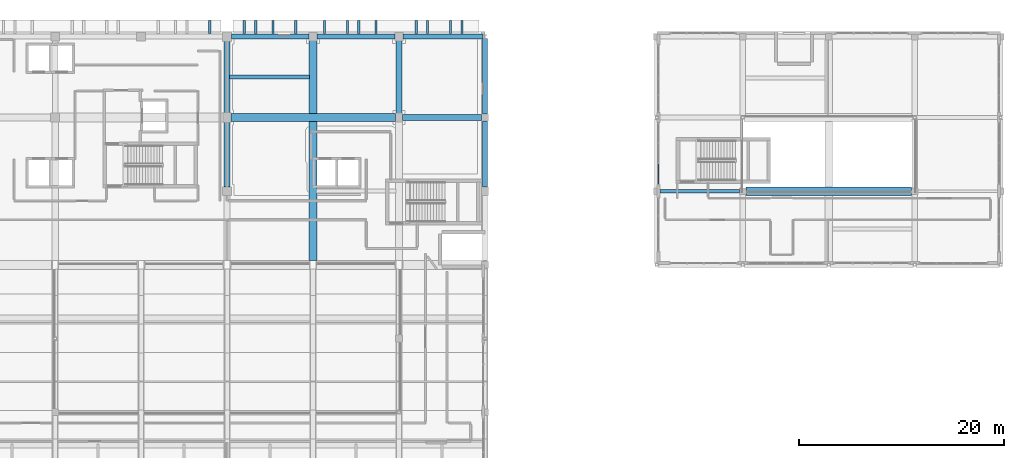
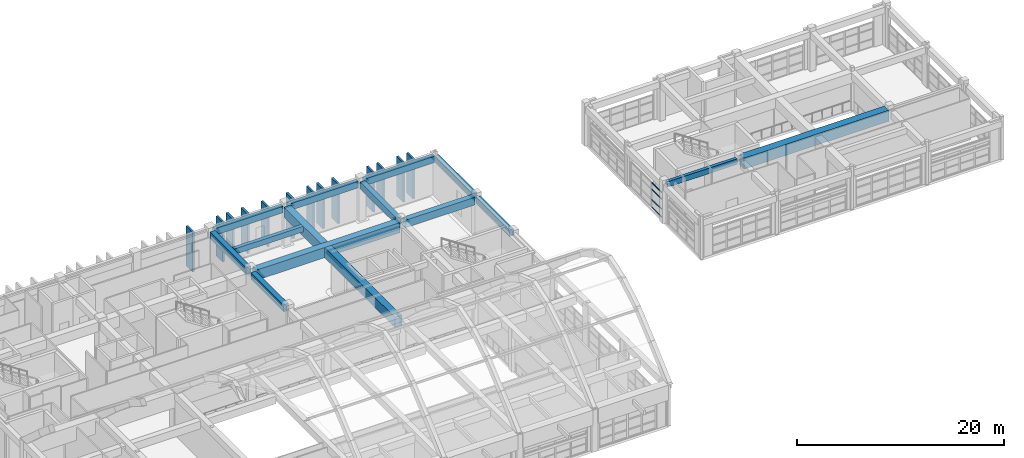
# One storey, part 59 of 103: 17 members, 14 beams, 1 element without a shape of its own.
"""IFC4 building model written with IfcOpenShell, lengths in metres."""

import ifcopenshell
import ifcopenshell.guid

model = None  # the IFC model being written
_history = None  # IfcOwnerHistory: only IFC2X3 demands one
_inside = {}  # id of a spatial element -> (the spatial element, [elements in it])
_under = {}  # id of a project, library or spatial element -> (it, [spatial elements below it])
_declared = {}  # id of a project -> (the project, [libraries it declares])
_typed = {}  # id of a type object -> (the type object, [elements of that type])
_made_of = {}  # id of a material, layer set ... -> (it, [elements and type objects made of it])


def new_model(schema):
    """Start an empty IFC model of exactly this schema.

    Asked for "IFC4X3", IfcOpenShell would pick the latest addendum, in which some entities
    have other attributes; the version numbers below select the first issue.
    IFC2X3 requires an IfcOwnerHistory on every rooted entity: one is made here for all.
    """
    global model, _history
    if schema == "IFC4X3":
        model = ifcopenshell.file(schema_version=(4, 3, 0, 0))
    else:
        model = ifcopenshell.file(schema=schema)
    _inside.clear()
    _under.clear()
    _declared.clear()
    _typed.clear()
    _made_of.clear()
    _history = None
    if model.schema == "IFC2X3":
        org = make("IfcOrganization", Name="unknown")
        user = make(
            "IfcPersonAndOrganization",
            ThePerson=make("IfcPerson", FamilyName="unknown"),
            TheOrganization=org,
        )
        app = make(
            "IfcApplication",
            ApplicationDeveloper=org,
            Version="unknown",
            ApplicationFullName="unknown",
            ApplicationIdentifier="unknown",
        )
        _history = make(
            "IfcOwnerHistory",
            OwningUser=user,
            OwningApplication=app,
            ChangeAction="ADDED",
            CreationDate=0,
        )
    return model


def make(cls, **values):
    """One entity of the class cls with the attributes given. An attribute that is None is left unset."""
    return model.create_entity(
        cls, **{name: value for name, value in values.items() if value is not None}
    )


def rooted(cls, **values):
    """An entity with a GlobalId (a new one), such as an element, a storey or a relation."""
    return make(cls, GlobalId=ifcopenshell.guid.new(), OwnerHistory=_history, **values)


def si_unit(unit_type, name, prefix=None):
    """IfcSIUnit, for example si_unit("LENGTHUNIT", "METRE", prefix="MILLI")."""
    return make("IfcSIUnit", UnitType=unit_type, Prefix=prefix, Name=name)


def assignment(units):
    """IfcUnitAssignment: the units of a project."""
    return None if units is None else make("IfcUnitAssignment", Units=units)


def point(xyz):
    """IfcCartesianPoint."""
    return None if xyz is None else make("IfcCartesianPoint", Coordinates=xyz)


def direction(xyz):
    """IfcDirection."""
    return None if xyz is None else make("IfcDirection", DirectionRatios=xyz)


def frame(location, z_axis=None, x_axis=None):
    """IfcAxis2Placement3D, a coordinate frame: its origin and axes. An axis left out is left unset."""
    return make(
        "IfcAxis2Placement3D",
        Location=point(location),
        Axis=direction(z_axis),
        RefDirection=direction(x_axis),
    )


def frame_2d(location, x_axis=None):
    """IfcAxis2Placement2D, a coordinate frame in the plane: its origin and x axis."""
    return make(
        "IfcAxis2Placement2D", Location=point(location), RefDirection=direction(x_axis)
    )


def origin():
    """The frame at (0, 0, 0) with its axes left unset."""
    return frame((0.0, 0.0, 0.0))


def origin_2d():
    """The frame at (0, 0) in the plane with its x axis left unset."""
    return frame_2d((0.0, 0.0))


def place(relative_to, where):
    """IfcLocalPlacement: puts the frame where relative to a parent placement (None: the world)."""
    return make(
        "IfcLocalPlacement", PlacementRelTo=relative_to, RelativePlacement=where
    )


def context(
    kind, dimensions, precision=None, world=None, true_north=None, identifier=None
):
    """IfcGeometricRepresentationContext, for example the 3D "Model" context."""
    return make(
        "IfcGeometricRepresentationContext",
        ContextIdentifier=identifier,
        ContextType=kind,
        CoordinateSpaceDimension=dimensions,
        Precision=precision,
        WorldCoordinateSystem=world,
        TrueNorth=true_north,
    )


def subcontext(parent, identifier, kind, view, scale=None):
    """IfcGeometricRepresentationSubContext, for example "Body" below "Model"."""
    return make(
        "IfcGeometricRepresentationSubContext",
        ContextIdentifier=identifier,
        ContextType=kind,
        ParentContext=parent,
        TargetScale=scale,
        TargetView=view,
    )


def project(units=None, contexts=None):
    """IfcProject with its units and contexts."""
    return rooted(
        "IfcProject",
        Name="project",
        RepresentationContexts=contexts,
        UnitsInContext=assignment(units),
    )


def spatial(cls, under=None, at=None, **own):
    """A site, building, storey or space (cls), placed at a placement, below another one or the project."""
    s = rooted(cls, ObjectPlacement=at, **own)
    if under is not None:
        _under.setdefault(under.id(), (under, []))[1].append(s)
    return s


def profile(cls, at=None, kind="AREA", **sizes):
    """A parametric profile (cls). Its sizes go by their IFC names, for example OverallWidth=200.0."""
    return make(cls, ProfileType=kind, Position=at, **sizes)


def rectangle(**sizes):
    """IfcRectangleProfileDef."""
    return profile("IfcRectangleProfileDef", **sizes)


def hollow_rectangle(**sizes):
    """IfcRectangleHollowProfileDef."""
    return profile("IfcRectangleHollowProfileDef", **sizes)


def extrude(swept, where, along, depth):
    """IfcExtrudedAreaSolid: the profile swept, set in the frame where, extruded along a direction by depth."""
    return make(
        "IfcExtrudedAreaSolid",
        SweptArea=swept,
        Position=where,
        ExtrudedDirection=direction(along),
        Depth=depth,
    )


def shape(context_of_items, identifier, shape_type, items):
    """IfcShapeRepresentation: the items that make up one representation, for example the "Body"."""
    return make(
        "IfcShapeRepresentation",
        ContextOfItems=context_of_items,
        RepresentationIdentifier=identifier,
        RepresentationType=shape_type,
        Items=items,
    )


def material(Name=None, Category=None):
    """IfcMaterial."""
    return make("IfcMaterial", Name=Name, Category=Category)


def layer(
    of_material, thickness, ventilated=None, Name=None, Category=None, Priority=None
):
    """IfcMaterialLayer: one layer of a wall or slab, of a material (None: an air gap)."""
    return make(
        "IfcMaterialLayer",
        Material=of_material,
        LayerThickness=thickness,
        IsVentilated=ventilated,
        Name=Name,
        Category=Category,
        Priority=Priority,
    )


def layer_set(layers, Name=None):
    """IfcMaterialLayerSet."""
    return make("IfcMaterialLayerSet", MaterialLayers=layers, LayerSetName=Name)


def material_profile(
    of_material, cross_section, Name=None, Category=None, Priority=None
):
    """IfcMaterialProfile: a cross section and its material."""
    return make(
        "IfcMaterialProfile",
        Name=Name,
        Material=of_material,
        Profile=cross_section,
        Priority=Priority,
        Category=Category,
    )


def profile_set(profiles, Name=None, composite=None):
    """IfcMaterialProfileSet."""
    return make(
        "IfcMaterialProfileSet",
        Name=Name,
        MaterialProfiles=profiles,
        CompositeProfile=composite,
    )


def made_of(thing, what):
    """Note that an element or type object is made of a material, layer set ...; save() writes the relation."""
    if what is not None:
        _made_of.setdefault(what.id(), (what, []))[1].append(thing)
    return thing


def type_object(cls, material=None, **own):
    """A type object (cls), such as IfcWallType, which elements share."""
    return made_of(rooted(cls, **own), material)


def element(
    cls,
    number,
    at=None,
    inside=None,
    cuts=None,
    type_object=None,
    material=None,
    context=None,
    identifier="Body",
    shape_type=None,
    held_by="IfcProductDefinitionShape",
    body=None,
    shapes=None,
    **own,
):
    """One element of the class cls, such as IfcWall. Its Tag is "e" and its number.

    at: its placement. inside: the storey or other place that contains it. cuts: it is an
    opening in that element (IfcRelVoidsElement). A single representation is given by context,
    identifier, shape_type and body (its items); several are given by shapes. held_by: the class
    of the entity that holds the representations. save() writes the other relations.
    """
    e = rooted(cls, Tag="e%d" % number, ObjectPlacement=at, **own)
    if body is not None:
        shapes = [shape(context, identifier, shape_type, body)]
    if shapes is not None:
        e.Representation = make(held_by, Representations=shapes)
    if inside is not None:
        _inside.setdefault(inside.id(), (inside, []))[1].append(e)
    if cuts is not None:
        rooted(
            "IfcRelVoidsElement", RelatingBuildingElement=cuts, RelatedOpeningElement=e
        )
    if type_object is not None:
        _typed.setdefault(type_object.id(), (type_object, []))[1].append(e)
    return made_of(e, material)


def aggregate(whole, parts):
    """IfcRelAggregates: a whole, such as a stair, and the parts it consists of."""
    return rooted("IfcRelAggregates", RelatingObject=whole, RelatedObjects=parts)


def save(model, path):
    """Write the relations noted so far, then the file.

    IfcRelAggregates (storeys below a building ...), IfcRelContainedInSpatialStructure (elements
    in a storey), IfcRelDefinesByType, IfcRelAssociatesMaterial and IfcRelDeclares: one each for
    every whole, place, type object, material and project.
    """
    for whole, parts in _under.values():
        aggregate(whole, parts)
    for where, things in _inside.values():
        rooted(
            "IfcRelContainedInSpatialStructure",
            RelatedElements=things,
            RelatingStructure=where,
        )
    for kind, things in _typed.values():
        rooted("IfcRelDefinesByType", RelatedObjects=things, RelatingType=kind)
    for what, things in _made_of.values():
        rooted("IfcRelAssociatesMaterial", RelatedObjects=things, RelatingMaterial=what)
    for by, libraries in _declared.values():
        rooted("IfcRelDeclares", RelatingContext=by, RelatedDefinitions=libraries)
    model.write(path)


model = new_model("IFC4")

# Units and contexts
model_context = context("Model", 3, precision=1e-05, world=origin(), true_north=direction((0.0, 1.0)))
body_context = subcontext(model_context, "Body", "Model", "MODEL_VIEW")
ifc_project = project(units=[si_unit("LENGTHUNIT", "METRE"), si_unit("AREAUNIT", "SQUARE_METRE"), si_unit("VOLUMEUNIT", "CUBIC_METRE"), si_unit("PLANEANGLEUNIT", "RADIAN"), si_unit("MASSUNIT", "GRAM", prefix="KILO")], contexts=[model_context])

# Site, building, storey
site_placement = place(None, origin())
site = spatial("IfcSite", under=ifc_project, at=site_placement, CompositionType="ELEMENT")
building_placement = place(site_placement, origin())
building = spatial("IfcBuilding", under=site, at=building_placement, Name="Quendrovan Civic Courthouse", CompositionType="ELEMENT")
storey_placement = place(building_placement, frame((0.0, 0.0, 15.300048828125)))
storey = spatial("IfcBuildingStorey", under=building, at=storey_placement, Name="L04", CompositionType="ELEMENT", Elevation=15.300048828125)

# Beams
ifc_material_1 = material(Name="Post-tensioned concrete C50/60", Category="concrete")
ifc_material_profile_1 = material_profile(ifc_material_1, rectangle(XDim=0.75, YDim=1.199951171875, at=origin_2d()), Name="PT-GIRD-750x1200")
ifc_profile_set_1 = profile_set([ifc_material_profile_1], Name="Post-tensioned concrete C50/60")
beam_type_1 = type_object("IfcBeamType", Name="BM-PT1200", PredefinedType="BEAM", material=ifc_profile_set_1)
beam_1_placement = place(storey_placement, frame((67.580078125, 102.0, 4.06005859375), z_axis=(1.0, 0.0, 0.0), x_axis=(0.0, 1.0, 0.0)))
element("IfcBeam", 1, at=beam_1_placement, inside=storey, type_object=beam_type_1, Name="L04 Girder X0920", PredefinedType="BEAM", context=body_context, shape_type="SweptSolid", body=[
    extrude(rectangle(XDim=0.75, YDim=1.199951171875, at=origin_2d()), origin(), (0.0, 0.0, 1.0), 16.08984375),
])
beam_2_placement = place(storey_placement, frame((75.60009765625, 88.0048828125, 4.06005859375), z_axis=(0.0, 1.0, 0.0), x_axis=(-1.0, 0.0, 0.0)))
element("IfcBeam", 2, at=beam_2_placement, inside=storey, type_object=beam_type_1, Name="L04 Girder Y0980", PredefinedType="BEAM", context=body_context, shape_type="SweptSolid", body=[
    extrude(rectangle(XDim=0.75, YDim=1.199951171875, at=origin_2d()), origin(), (0.0, 0.0, 1.0), 21.51513671875),
])
ifc_material_profile_2 = material_profile(ifc_material_1, rectangle(XDim=0.85009765625, YDim=1.300048828125, at=origin_2d()), Name="PT-GRD-850x1300")
ifc_profile_set_2 = profile_set([ifc_material_profile_2], Name="Post-tensioned concrete C50/60")
beam_type_2 = type_object("IfcBeamType", Name="BM-PT1300", PredefinedType="BEAM", material=ifc_profile_set_2)
beam_3_placement = place(storey_placement, frame((117.905029296875, 94.800048828125, 4.010009765625), z_axis=(1.0, 0.0, 0.0), x_axis=(0.0, 1.0, 0.0)))
element("IfcBeam", 3, at=beam_3_placement, inside=storey, type_object=beam_type_2, Name="L04 Girder X0916", PredefinedType="BEAM", context=body_context, shape_type="SweptSolid", body=[
    extrude(rectangle(XDim=0.85009765625, YDim=1.300048828125, at=origin_2d()), origin(), (0.0, 0.0, 1.0), 16.18994140625),
])
ifc_material_2 = material(Name="Concrete C40/50", Category="concrete")
ifc_material_profile_3 = material_profile(ifc_material_2, rectangle(XDim=0.39990234375, YDim=0.64990234375, at=origin_2d()), Name="RC-BM-400x650")
ifc_profile_set_3 = profile_set([ifc_material_profile_3], Name="Concrete C40/50")
beam_type_3 = type_object("IfcBeamType", Name="BM-RC650", PredefinedType="JOIST", material=ifc_profile_set_3)
beam_4_placement = place(storey_placement, frame((67.455078125, 105.96240234375, 4.3349609375), z_axis=(1.0, 0.0, 0.0), x_axis=(0.0, 1.0, 0.0)))
element("IfcBeam", 4, at=beam_4_placement, inside=storey, type_object=beam_type_3, Name="L04 Secondary Joist 0999", PredefinedType="JOIST", context=body_context, shape_type="SweptSolid", body=[
    extrude(rectangle(XDim=0.39990234375, YDim=0.64990234375, at=origin_2d()), origin(), (0.0, 0.0, 1.0), 7.7900390625),
])
ifc_material_profile_4 = material_profile(ifc_material_2, rectangle(XDim=0.35009765625, YDim=0.64990234375, at=origin_2d()), Name="RC-BM-350x650")
ifc_profile_set_4 = profile_set([ifc_material_profile_4], Name="Concrete C40/50")
beam_type_4 = type_object("IfcBeamType", Name="BM-RC650B", PredefinedType="BEAM", material=ifc_profile_set_4)
beam_5_placement = place(storey_placement, frame((109.5048828125, 94.800048828125, 4.3349609375), z_axis=(1.0, 0.0, 0.0), x_axis=(0.0, 1.0, 0.0)))
element("IfcBeam", 5, at=beam_5_placement, inside=storey, type_object=beam_type_4, Name="L04 Girder X0915", PredefinedType="BEAM", context=body_context, shape_type="SweptSolid", body=[
    extrude(rectangle(XDim=0.35009765625, YDim=0.64990234375, at=origin_2d()), origin(), (0.0, 0.0, 1.0), 7.7900390625),
])
ifc_material_profile_5 = material_profile(ifc_material_2, rectangle(XDim=0.5, YDim=0.75, at=origin_2d()), Name="RC-BM-500x750")
ifc_profile_set_5 = profile_set([ifc_material_profile_5], Name="Concrete C40/50")
beam_type_5 = type_object("IfcBeamType", Name="BM-RC750", PredefinedType="SPANDREL", material=ifc_profile_set_5)
beam_6_placement = place(storey_placement, frame((67.6298828125, 109.89990234375, 4.284912109375), z_axis=(1.0, 0.0, 0.0), x_axis=(0.0, 1.0, 0.0)))
element("IfcBeam", 6, at=beam_6_placement, inside=storey, type_object=beam_type_5, Name="L04 Girder X0929", PredefinedType="SPANDREL", context=body_context, shape_type="SweptSolid", body=[
    extrude(rectangle(XDim=0.5, YDim=0.75, at=origin_2d()), origin(), (0.0, 0.0, 1.0), 7.590087890625),
])
beam_7_placement = place(storey_placement, frame((75.97998046875, 109.89990234375, 4.284912109375), z_axis=(1.0, 0.0, 0.0), x_axis=(0.0, 1.0, 0.0)))
element("IfcBeam", 7, at=beam_7_placement, inside=storey, type_object=beam_type_5, Name="L04 Girder X0930", PredefinedType="SPANDREL", context=body_context, shape_type="SweptSolid", body=[
    extrude(rectangle(XDim=0.5, YDim=0.75, at=origin_2d()), origin(), (0.0, 0.0, 1.0), 7.64013671875),
])
beam_8_placement = place(storey_placement, frame((84.3798828125, 109.89990234375, 4.284912109375), z_axis=(1.0, 0.0, 0.0), x_axis=(0.0, 1.0, 0.0)))
element("IfcBeam", 8, at=beam_8_placement, inside=storey, type_object=beam_type_5, Name="L04 Girder X0931", PredefinedType="SPANDREL", context=body_context, shape_type="SweptSolid", body=[
    extrude(rectangle(XDim=0.5, YDim=0.75, at=origin_2d()), origin(), (0.0, 0.0, 1.0), 7.85302734375),
])
beam_9_placement = place(storey_placement, frame((92.39990234375, 95.205078125, 4.284912109375), z_axis=(0.0, 1.0, 0.0), x_axis=(-1.0, 0.0, 0.0)))
element("IfcBeam", 9, at=beam_9_placement, inside=storey, type_object=beam_type_5, Name="L04 Girder Y0984", PredefinedType="SPANDREL", context=body_context, shape_type="SweptSolid", body=[
    extrude(rectangle(XDim=0.5, YDim=0.75, at=origin_2d()), origin(), (0.0, 0.0, 1.0), 6.46484375),
])
beam_10_placement = place(storey_placement, frame((92.39990234375, 102.330078125, 4.284912109375), z_axis=(0.0, 1.0, 0.0), x_axis=(-1.0, 0.0, 0.0)))
element("IfcBeam", 10, at=beam_10_placement, inside=storey, type_object=beam_type_5, Name="L04 Girder Y0985", PredefinedType="SPANDREL", context=body_context, shape_type="SweptSolid", body=[
    extrude(rectangle(XDim=0.5, YDim=0.75, at=origin_2d()), origin(), (0.0, 0.0, 1.0), 7.40380859375),
])
ifc_material_profile_6 = material_profile(ifc_material_2, rectangle(XDim=0.550048828125, YDim=0.800048828125, at=origin_2d()), Name="RC-BM-550x800")
ifc_profile_set_6 = profile_set([ifc_material_profile_6], Name="Concrete C40/50")
beam_type_6 = type_object("IfcBeamType", Name="BM-RC800", PredefinedType="BEAM", material=ifc_profile_set_6)
beam_11_placement = place(storey_placement, frame((67.199951171875, 95.205078125, 4.260009765625), z_axis=(0.0, 1.0, 0.0), x_axis=(-1.0, 0.0, 0.0)))
element("IfcBeam", 11, at=beam_11_placement, inside=storey, type_object=beam_type_6, Name="L04 Girder Y0978", PredefinedType="BEAM", context=body_context, shape_type="SweptSolid", body=[
    extrude(rectangle(XDim=0.550048828125, YDim=0.800048828125, at=origin_2d()), origin(), (0.0, 0.0, 1.0), 6.33984375),
])
beam_12_placement = place(storey_placement, frame((67.199951171875, 102.455078125, 4.260009765625), z_axis=(0.0, 1.0, 0.0), x_axis=(-1.0, 0.0, 0.0)))
element("IfcBeam", 12, at=beam_12_placement, inside=storey, type_object=beam_type_6, Name="L04 Girder Y0979", PredefinedType="BEAM", context=body_context, shape_type="SweptSolid", body=[
    extrude(rectangle(XDim=0.550048828125, YDim=0.800048828125, at=origin_2d()), origin(), (0.0, 0.0, 1.0), 7.014892578125),
])
beam_13_placement = place(storey_placement, frame((84.0, 102.405029296875, 4.260009765625), z_axis=(0.0, 1.0, 0.0), x_axis=(-1.0, 0.0, 0.0)))
element("IfcBeam", 13, at=beam_13_placement, inside=storey, type_object=beam_type_6, Name="L04 Girder Y0982", PredefinedType="BEAM", context=body_context, shape_type="SweptSolid", body=[
    extrude(rectangle(XDim=0.550048828125, YDim=0.800048828125, at=origin_2d()), origin(), (0.0, 0.0, 1.0), 7.114990234375),
])
ifc_material_profile_7 = material_profile(ifc_material_2, rectangle(XDim=0.60009765625, YDim=0.89990234375, at=origin_2d()), Name="RC-BM-600x900")
ifc_profile_set_7 = profile_set([ifc_material_profile_7], Name="Concrete C40/50")
beam_type_7 = type_object("IfcBeamType", Name="BM-RC900", PredefinedType="BEAM", material=ifc_profile_set_7)
beam_14_placement = place(storey_placement, frame((84.330078125, 102.0, 4.2099609375), z_axis=(1.0, 0.0, 0.0), x_axis=(0.0, 1.0, 0.0)))
element("IfcBeam", 14, at=beam_14_placement, inside=storey, type_object=beam_type_7, Name="L04 Girder X0921", PredefinedType="BEAM", context=body_context, shape_type="SweptSolid", body=[
    extrude(rectangle(XDim=0.60009765625, YDim=0.89990234375, at=origin_2d()), origin(), (0.0, 0.0, 1.0), 7.739990234375),
])

# Curtain wall, members
ifc_material_3 = material(Name="Bronze anodised aluminium and low-E glass", Category="aluminium")
ifc_layer = layer(ifc_material_3, 0.179931640625, Name="Bronze anodised aluminium and low-E glass")
ifc_layer_set = layer_set([ifc_layer], Name="Bronze anodised aluminium and low-E glass")
curtain_wall_type = type_object("IfcCurtainWallType", Name="CW-U60x30", PredefinedType="USERDEFINED", material=ifc_layer_set)
curtain_wall_placement = place(storey_placement, origin())
curtain_wall = element("IfcCurtainWall", 15, at=curtain_wall_placement, inside=storey, type_object=curtain_wall_type, Name="L04 Unitised Hurricane Curtain Wall CW-178", ObjectType="UNITISED CURTAIN WALL", PredefinedType="USERDEFINED")
ifc_material_4 = material(Name="Bronze anodised aluminium", Category="aluminium")
ifc_material_profile_8 = material_profile(ifc_material_4, hollow_rectangle(XDim=0.070068359375, YDim=0.139892578125, WallThickness=0.00390625, at=origin_2d()), Name="CW-TRAN-70x140")
ifc_profile_set_8 = profile_set([ifc_material_profile_8], Name="Bronze anodised aluminium")
member_type_1 = type_object("IfcMemberType", Name="CW-TRAN-A", PredefinedType="USERDEFINED", material=ifc_profile_set_8)
member_1_placement = place(storey_placement, frame((109.364990234375, 95.544921875, 0.034912109375), z_axis=(0.0, 1.0, 0.0), x_axis=(-1.0, 0.0, 0.0)))
member_1 = element("IfcMember", 16, at=member_1_placement, type_object=member_type_1, Name="CW-178 transom 1.1", ObjectType="TRANSOM", PredefinedType="USERDEFINED", context=body_context, shape_type="SweptSolid", body=[
    extrude(hollow_rectangle(XDim=0.070068359375, YDim=0.139892578125, WallThickness=0.00390625, at=origin_2d()), origin(), (0.0, 0.0, 1.0), 1.9033203125),
])
member_2_placement = place(storey_placement, frame((109.364990234375, 95.544921875, 0.949951171875), z_axis=(0.0, 1.0, 0.0), x_axis=(-1.0, 0.0, 0.0)))
member_2 = element("IfcMember", 17, at=member_2_placement, type_object=member_type_1, Name="CW-178 transom 1.2", ObjectType="TRANSOM", PredefinedType="USERDEFINED", context=body_context, shape_type="SweptSolid", body=[
    extrude(hollow_rectangle(XDim=0.070068359375, YDim=0.139892578125, WallThickness=0.00390625, at=origin_2d()), origin(), (0.0, 0.0, 1.0), 1.9033203125),
])
member_3_placement = place(storey_placement, frame((109.364990234375, 95.544921875, 2.14990234375), z_axis=(0.0, 1.0, 0.0), x_axis=(-1.0, 0.0, 0.0)))
member_3 = element("IfcMember", 18, at=member_3_placement, type_object=member_type_1, Name="CW-178 transom 1.3", ObjectType="TRANSOM", PredefinedType="USERDEFINED", context=body_context, shape_type="SweptSolid", body=[
    extrude(hollow_rectangle(XDim=0.070068359375, YDim=0.139892578125, WallThickness=0.00390625, at=origin_2d()), origin(), (0.0, 0.0, 1.0), 1.9033203125),
])
member_4_placement = place(storey_placement, frame((109.364990234375, 95.544921875, 2.93505859375), z_axis=(0.0, 1.0, 0.0), x_axis=(-1.0, 0.0, 0.0)))
member_4 = element("IfcMember", 19, at=member_4_placement, type_object=member_type_1, Name="CW-178 transom 1.4", ObjectType="TRANSOM", PredefinedType="USERDEFINED", context=body_context, shape_type="SweptSolid", body=[
    extrude(hollow_rectangle(XDim=0.070068359375, YDim=0.139892578125, WallThickness=0.00390625, at=origin_2d()), origin(), (0.0, 0.0, 1.0), 1.9033203125),
])
aggregate(curtain_wall, [member_1, member_2, member_3, member_4])

# Members
ifc_material_5 = material(Name="Precast concrete C45/55", Category="concrete")
ifc_material_profile_9 = material_profile(ifc_material_5, rectangle(XDim=0.219970703125, YDim=1.280029296875, at=origin_2d()), Name="PC-FIN-220x1280")
ifc_profile_set_9 = profile_set([ifc_material_profile_9], Name="Precast concrete C45/55")
member_type_2 = type_object("IfcMemberType", Name="MEM-PC-FIN1280", PredefinedType="USERDEFINED", material=ifc_profile_set_9)
for number, where, z_axis, x_axis, name in (
    (20, (65.52001953125, 110.83203125, 0.0), (0.0, 0.0, 1.0), (1.0, 0.0, 0.0), "L04 Precast Concrete Facade Fin 0042"),
    (21, (68.8798828125, 110.83203125, 0.0), (0.0, 0.0, 1.0), (1.0, 0.0, 0.0), "L04 Precast Concrete Facade Fin 0043"),
    (22, (70.0, 110.83203125, 0.0), (0.0, 0.0, 1.0), (1.0, 0.0, 0.0), "L04 Precast Concrete Facade Fin 0044"),
    (23, (71.679931640625, 110.83203125, 0.0), (0.0, 0.0, 1.0), (1.0, 0.0, 0.0), "L04 Precast Concrete Facade Fin 0045"),
    (24, (73.919921875, 110.83203125, 0.0), (0.0, 0.0, 1.0), (1.0, 0.0, 0.0), "L04 Precast Concrete Facade Fin 0046"),
    (25, (76.719970703125, 110.83203125, 0.0), (0.0, 0.0, 1.0), (1.0, 0.0, 0.0), "L04 Precast Concrete Facade Fin 0047"),
    (26, (78.9599609375, 110.83203125, 0.0), (0.0, 0.0, 1.0), (1.0, 0.0, 0.0), "L04 Precast Concrete Facade Fin 0048"),
    (27, (80.080078125, 110.83203125, 0.0), (0.0, 0.0, 1.0), (1.0, 0.0, 0.0), "L04 Precast Concrete Facade Fin 0049"),
    (28, (81.760009765625, 110.83203125, 0.0), (0.0, 0.0, 1.0), (1.0, 0.0, 0.0), "L04 Precast Concrete Facade Fin 0050"),
    (29, (85.679931640625, 110.83203125, 0.0), (0.0, 0.0, 1.0), (1.0, 0.0, 0.0), "L04 Precast Concrete Facade Fin 0051"),
    (30, (86.800048828125, 110.83203125, 0.0), (0.0, 0.0, 1.0), (1.0, 0.0, 0.0), "L04 Precast Concrete Facade Fin 0052"),
    (31, (89.0400390625, 110.83203125, 0.0), (0.0, 0.0, 1.0), (1.0, 0.0, 0.0), "L04 Precast Concrete Facade Fin 0053"),
    (32, (90.159912109375, 110.83203125, 0.0), (0.0, 0.0, 1.0), (1.0, 0.0, 0.0), "L04 Precast Concrete Facade Fin 0054"),
):
    element("IfcMember", number, at=place(storey_placement, frame(where, z_axis=z_axis, x_axis=x_axis)), inside=storey, type_object=member_type_2, Name=name, ObjectType="PRECAST FACADE FIN", PredefinedType="USERDEFINED", context=body_context, shape_type="SweptSolid", body=[
        extrude(rectangle(XDim=0.219970703125, YDim=1.280029296875, at=origin_2d()), origin(), (0.0, 0.0, 1.0), 4.679931640625),
    ])

save(model, "model.ifc")
